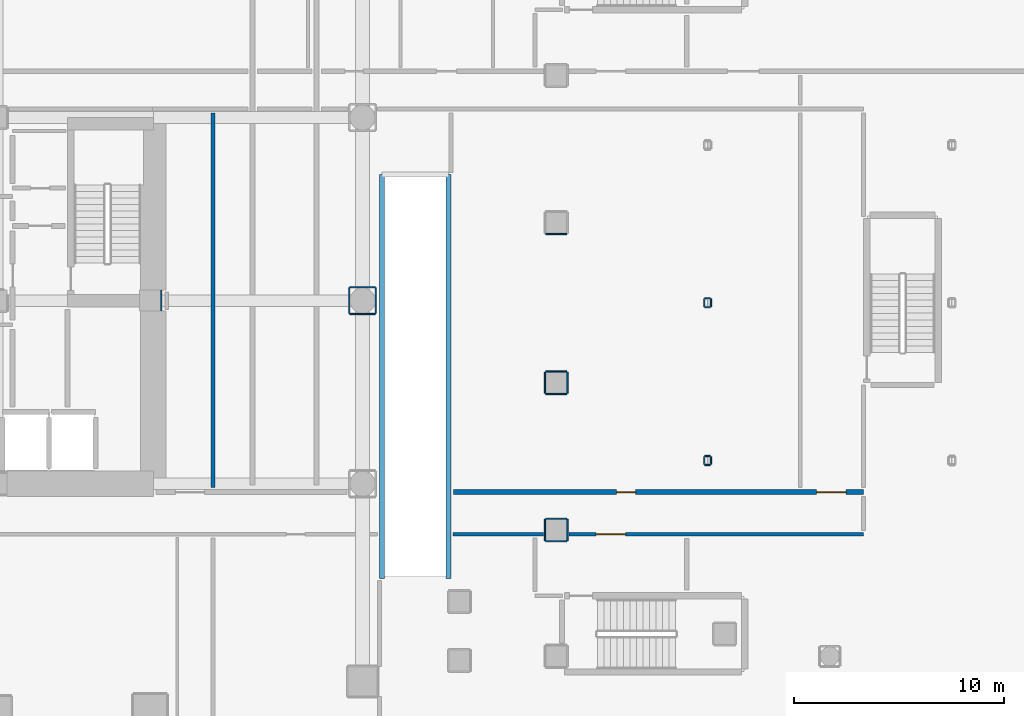
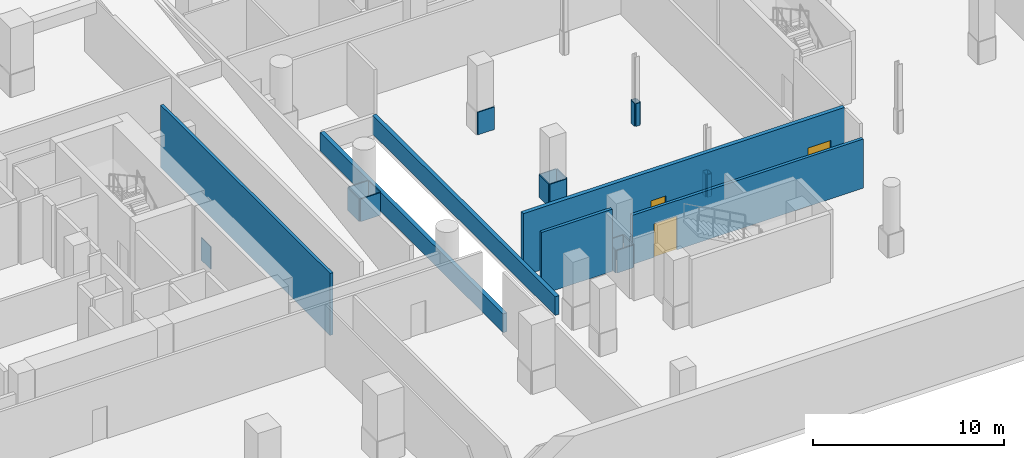
# One storey, part 10 of 22: 28 walls, 3 doors, 3 openings.
"""IFC4 building model written with IfcOpenShell, lengths in metres."""

from ifc_helpers import new_model, si_unit, direction, frame, frame_2d, origin, place, context, subcontext, project, spatial, rectangle, extrude, material, layer, layer_set, type_object, element, fill, save


model = new_model("IFC4")

# Units and contexts
model_context = context("Model", 3, precision=1e-05, world=origin(), true_north=direction((0.0, 1.0)))
body_context = subcontext(model_context, "Body", "Model", "MODEL_VIEW")
ifc_project = project(units=[si_unit("LENGTHUNIT", "METRE"), si_unit("AREAUNIT", "SQUARE_METRE"), si_unit("VOLUMEUNIT", "CUBIC_METRE"), si_unit("PLANEANGLEUNIT", "RADIAN"), si_unit("MASSUNIT", "GRAM", prefix="KILO")], contexts=[model_context])

# Site, building, storey
site_placement = place(None, origin())
site = spatial("IfcSite", under=ifc_project, at=site_placement, CompositionType="ELEMENT")
building_placement = place(site_placement, origin())
building = spatial("IfcBuilding", under=site, at=building_placement, Name="Solanera Arch Residences", CompositionType="ELEMENT")
storey_placement = place(building_placement, frame((0.0, 0.0, -4.39990234375)))
storey = spatial("IfcBuildingStorey", under=building, at=storey_placement, Name="B01", CompositionType="ELEMENT", Elevation=-4.39990234375)

# Walls
ifc_material_1 = material(Name="Fire-Rated Gypsum Stud Partition", Category="gypsum")
ifc_layer_1 = layer(ifc_material_1, 0.06005859375)
ifc_layer_set_1 = layer_set([ifc_layer_1], Name="Fire-Rated Gypsum Stud Partition")
wall_type_1 = type_object("IfcWallType", Name="Column Acoustic Furring Wall 60", PredefinedType="PARTITIONING", material=ifc_layer_set_1)
wall_1_placement = place(storey_placement, frame((37.031982421875, 30.2099609375, 0.0), z_axis=(0.0, 0.0, 1.0), x_axis=(0.0, 1.0, 0.0)))
element("IfcWall", 1, at=wall_1_placement, inside=storey, type_object=wall_type_1, Name="B01 Column Furring 6E", PredefinedType="PARTITIONING", context=body_context, shape_type="SweptSolid", body=[
    extrude(rectangle(XDim=0.97998046875, YDim=0.06005859375, at=frame_2d((0.489990234375, 0.0))), origin(), (0.0, 0.0, 1.0), 1.449951171875),
])
for number, where, z_axis, x_axis, name in (
    (2, (46.0, 30.068115234375, 0.0), (0.0, 0.0, 1.0), (1.0, 0.0, 0.0), "B01 Column Furring 19S"),
    (3, (46.0, 31.33203125, 0.0), (0.0, 0.0, 1.0), (1.0, 0.0, 0.0), "B01 Column Furring 19N"),
    (4, (45.968017578125, 30.10009765625, 0.0), (0.0, 0.0, 1.0), (0.0, 1.0, 0.0), "B01 Column Furring 19W"),
    (5, (47.23193359375, 30.10009765625, 0.0), (0.0, 0.0, 1.0), (0.0, 1.0, 0.0), "B01 Column Furring 19E"),
):
    element("IfcWall", number, at=place(storey_placement, frame(where, z_axis=z_axis, x_axis=x_axis)), inside=storey, type_object=wall_type_1, Name=name, PredefinedType="PARTITIONING", context=body_context, shape_type="SweptSolid", body=[
        extrude(rectangle(XDim=1.199951171875, YDim=0.06005859375, at=frame_2d((0.60009765625, 0.0))), origin(), (0.0, 0.0, 1.0), 1.449951171875),
    ])
for number, where, z_axis, x_axis, name in (
    (6, (62.87109375, 22.886962890625, 0.0), (0.0, 0.0, 1.0), (1.0, 0.0, 0.0), "B01 Column Furring 27S"),
    (7, (62.87109375, 23.31396484375, 0.0), (0.0, 0.0, 1.0), (1.0, 0.0, 0.0), "B01 Column Furring 27N"),
):
    element("IfcWall", number, at=place(storey_placement, frame(where, z_axis=z_axis, x_axis=x_axis)), inside=storey, type_object=wall_type_1, Name=name, PredefinedType="PARTITIONING", context=body_context, shape_type="SweptSolid", body=[
        extrude(rectangle(XDim=0.2578125, YDim=0.06005859375, at=frame_2d((0.12890625, 0.0))), origin(), (0.0, 0.0, 1.0), 1.449951171875),
    ])
for number, where, z_axis, x_axis, name in (
    (8, (62.840087890625, 22.9189453125, 0.0), (0.0, 0.0, 1.0), (0.0, 1.0, 0.0), "B01 Column Furring 27W"),
    (9, (63.159912109375, 22.9189453125, 0.0), (0.0, 0.0, 1.0), (0.0, 1.0, 0.0), "B01 Column Furring 27E"),
):
    element("IfcWall", number, at=place(storey_placement, frame(where, z_axis=z_axis, x_axis=x_axis)), inside=storey, type_object=wall_type_1, Name=name, PredefinedType="PARTITIONING", context=body_context, shape_type="SweptSolid", body=[
        extrude(rectangle(XDim=0.363037109375, YDim=0.06005859375, at=frame_2d((0.181640625, 0.0))), origin(), (0.0, 0.0, 1.0), 1.449951171875),
    ])
for number, where, z_axis, x_axis, name in (
    (10, (62.87109375, 30.386962890625, 0.0), (0.0, 0.0, 1.0), (1.0, 0.0, 0.0), "B01 Column Furring 29S"),
    (11, (62.87109375, 30.81396484375, 0.0), (0.0, 0.0, 1.0), (1.0, 0.0, 0.0), "B01 Column Furring 29N"),
):
    element("IfcWall", number, at=place(storey_placement, frame(where, z_axis=z_axis, x_axis=x_axis)), inside=storey, type_object=wall_type_1, Name=name, PredefinedType="PARTITIONING", context=body_context, shape_type="SweptSolid", body=[
        extrude(rectangle(XDim=0.2578125, YDim=0.06005859375, at=frame_2d((0.12890625, 0.0))), origin(), (0.0, 0.0, 1.0), 1.449951171875),
    ])
for number, where, z_axis, x_axis, name in (
    (12, (62.840087890625, 30.4189453125, 0.0), (0.0, 0.0, 1.0), (0.0, 1.0, 0.0), "B01 Column Furring 29W"),
    (13, (63.159912109375, 30.4189453125, 0.0), (0.0, 0.0, 1.0), (0.0, 1.0, 0.0), "B01 Column Furring 29E"),
):
    element("IfcWall", number, at=place(storey_placement, frame(where, z_axis=z_axis, x_axis=x_axis)), inside=storey, type_object=wall_type_1, Name=name, PredefinedType="PARTITIONING", context=body_context, shape_type="SweptSolid", body=[
        extrude(rectangle(XDim=0.363037109375, YDim=0.06005859375, at=frame_2d((0.181640625, 0.0))), origin(), (0.0, 0.0, 1.0), 1.449951171875),
    ])
for number, where, z_axis, x_axis, name in (
    (14, (55.300048828125, 19.26806640625, 0.0), (0.0, 0.0, 1.0), (1.0, 0.0, 0.0), "B01 Column Furring 44S"),
    (15, (55.300048828125, 20.33203125, 0.0), (0.0, 0.0, 1.0), (1.0, 0.0, 0.0), "B01 Column Furring 44N"),
    (16, (55.26806640625, 19.300048828125, 0.0), (0.0, 0.0, 1.0), (0.0, 1.0, 0.0), "B01 Column Furring 44W"),
    (17, (56.33203125, 19.300048828125, 0.0), (0.0, 0.0, 1.0), (0.0, 1.0, 0.0), "B01 Column Furring 44E"),
    (18, (55.300048828125, 26.26806640625, 0.0), (0.0, 0.0, 1.0), (1.0, 0.0, 0.0), "B01 Column Furring 45S"),
    (19, (55.300048828125, 27.33203125, 0.0), (0.0, 0.0, 1.0), (1.0, 0.0, 0.0), "B01 Column Furring 45N"),
    (20, (55.26806640625, 26.300048828125, 0.0), (0.0, 0.0, 1.0), (0.0, 1.0, 0.0), "B01 Column Furring 45W"),
    (21, (56.33203125, 26.300048828125, 0.0), (0.0, 0.0, 1.0), (0.0, 1.0, 0.0), "B01 Column Furring 45E"),
    (22, (55.300048828125, 33.867919921875, 0.0), (0.0, 0.0, 1.0), (1.0, 0.0, 0.0), "B01 Column Furring 46S"),
):
    element("IfcWall", number, at=place(storey_placement, frame(where, z_axis=z_axis, x_axis=x_axis)), inside=storey, type_object=wall_type_1, Name=name, PredefinedType="PARTITIONING", context=body_context, shape_type="SweptSolid", body=[
        extrude(rectangle(XDim=1.0, YDim=0.06005859375, at=frame_2d((0.5, 0.0))), origin(), (0.0, 0.0, 1.0), 1.449951171875),
    ])
ifc_material_2 = material(Name="Autoclaved Aerated Concrete Blockwork", Category="masonry")
ifc_layer_2 = layer(ifc_material_2, 0.179931640625)
ifc_layer_set_2 = layer_set([ifc_layer_2], Name="Autoclaved Aerated Concrete Blockwork")
wall_type_2 = type_object("IfcWallType", Name="Corridor Fire Partition 180", PredefinedType="PARTITIONING", material=ifc_layer_set_2)
wall_2_placement = place(storey_placement, frame((50.89794921875, 19.60009765625, 0.0), z_axis=(0.0, 0.0, 1.0), x_axis=(1.0, 0.0, 0.0)))
element("IfcWall", 23, at=wall_2_placement, inside=storey, type_object=wall_type_2, Name="B01 Interior Partition H12 1", PredefinedType="PARTITIONING", context=body_context, shape_type="SweptSolid", body=[
    extrude(rectangle(XDim=4.300048828125, YDim=0.179931640625, at=frame_2d((2.14990234375, 0.0))), origin(), (0.0, 0.0, 1.0), 3.97998046875),
])

# Wall, opening, door
wall_3_placement = place(storey_placement, frame((56.402099609375, 19.60009765625, 0.0), z_axis=(0.0, 0.0, 1.0), x_axis=(1.0, 0.0, 0.0)))
wall_3 = element("IfcWall", 24, at=wall_3_placement, inside=storey, type_object=wall_type_2, Name="B01 Interior Partition H12 2", PredefinedType="PARTITIONING", context=body_context, shape_type="SweptSolid", body=[
    extrude(rectangle(XDim=13.997802734375, YDim=0.179931640625, at=frame_2d((6.9990234375, 0.0))), origin(), (0.0, 0.0, 1.0), 3.15283203125),
])
opening_1_placement = place(wall_3_placement, frame((1.298095703125, 0.0, 0.0)))
opening_1 = element("IfcOpeningElement", 25, at=opening_1_placement, cuts=wall_3, Name="Opening DF-03", PredefinedType="OPENING", context=body_context, shape_type="SweptSolid", body=[
    extrude(rectangle(XDim=1.39990234375, YDim=2.14990234375, at=frame_2d((0.699951171875, 1.074951171875))), frame((0.0, 0.10009765625, 0.0), z_axis=(0.0, -1.0, 0.0), x_axis=(1.0, 0.0, 0.0)), (0.0, 0.0, 1.0), 0.1999),
])
ifc_material_3 = material(Name="Fire-Rated Architectural Hardwood", Category="wood")
door_type_1 = type_object("IfcDoorType", Name="Corridor Smoke Door DF-03", OperationType="NOTDEFINED", PredefinedType="DOOR", material=ifc_material_3)
door_1_placement = place(opening_1_placement, origin())
door_1 = element("IfcDoor", 26, at=door_1_placement, inside=storey, type_object=door_type_1, Name="DR-B01-IN-018", OperationType="SINGLE_SWING_LEFT", OverallHeight=2.14990234375, OverallWidth=1.39990234375, PredefinedType="DOOR", context=body_context, shape_type="SweptSolid", body=[
    extrude(rectangle(XDim=1.39990234375, YDim=2.14990234375, at=frame_2d((0.699951171875, 1.074951171875))), frame((0.0, 0.02490234375, 0.0), z_axis=(0.0, -1.0, 0.0), x_axis=(1.0, 0.0, 0.0)), (0.0, 0.0, 1.0), 0.050048828125),
])
fill(opening_1, door_1)

# Walls
wall_4_placement = place(storey_placement, frame((39.5, 21.818115234375, 0.0), z_axis=(0.0, 0.0, 1.0), x_axis=(0.0, 1.0, 0.0)))
element("IfcWall", 27, at=wall_4_placement, inside=storey, type_object=wall_type_2, Name="B01 Interior Partition V14", PredefinedType="PARTITIONING", context=body_context, shape_type="SweptSolid", body=[
    extrude(rectangle(XDim=17.7939453125, YDim=0.179931640625, at=frame_2d((8.89697265625, 0.0))), origin(), (0.0, 0.0, 1.0), 3.97998046875),
])
ifc_material_4 = material(Name="Precast Concrete C35/45", Category="concrete")
ifc_layer_3 = layer(ifc_material_4, 0.239990234375)
ifc_layer_set_3 = layer_set([ifc_layer_3], Name="Precast Concrete C35/45")
wall_type_3 = type_object("IfcWallType", Name="Parapet Wall Precast 240", PredefinedType="PARAPET", material=ifc_layer_set_3)
for number, where, z_axis, x_axis, name in (
    (28, (47.52001953125, 17.5, 0.0), (0.0, 0.0, 1.0), (0.0, 1.0, 0.0), "B01 Vehicle Ramp West Guard Wall"),
    (29, (50.679931640625, 17.5, 0.0), (0.0, 0.0, 1.0), (0.0, 1.0, 0.0), "B01 Vehicle Ramp East Guard Wall"),
):
    element("IfcWall", number, at=place(storey_placement, frame(where, z_axis=z_axis, x_axis=x_axis)), inside=storey, type_object=wall_type_3, Name=name, PredefinedType="PARAPET", context=body_context, shape_type="SweptSolid", body=[
        extrude(rectangle(XDim=19.199951171875, YDim=0.239990234375, at=frame_2d((9.60009765625, 0.0))), origin(), (0.0, 0.0, 1.0), 1.199951171875),
    ])

# Wall, openings, doors
ifc_material_5 = material(Name="Autoclaved Aerated Concrete Blockwork", Category="masonry")
ifc_layer_4 = layer(ifc_material_5, 0.239990234375)
ifc_layer_set_4 = layer_set([ifc_layer_4], Name="Autoclaved Aerated Concrete Blockwork")
wall_type_4 = type_object("IfcWallType", Name="Shaft Wall Fire-Rated 240", PredefinedType="PARTITIONING", material=ifc_layer_set_4)
wall_5_placement = place(storey_placement, frame((50.927978515625, 21.60009765625, 0.0), z_axis=(0.0, 0.0, 1.0), x_axis=(1.0, 0.0, 0.0)))
wall_5 = element("IfcWall", 30, at=wall_5_placement, inside=storey, type_object=wall_type_4, Name="B01 Interior Partition H2", PredefinedType="PARTITIONING", context=body_context, shape_type="SweptSolid", body=[
    extrude(rectangle(XDim=19.471923828125, YDim=0.239990234375, at=frame_2d((9.73583984375, 0.0))), origin(), (0.0, 0.0, 1.0), 3.97998046875),
])
opening_2_placement = place(wall_5_placement, frame((17.248046875, 0.0, 0.0)))
opening_2 = element("IfcOpeningElement", 31, at=opening_2_placement, cuts=wall_5, Name="Opening DF-03", PredefinedType="OPENING", context=body_context, shape_type="SweptSolid", body=[
    extrude(rectangle(XDim=1.39990234375, YDim=2.14990234375, at=frame_2d((0.699951171875, 1.074951171875))), frame((0.0, 0.1298828125, 0.0), z_axis=(0.0, -1.0, 0.0), x_axis=(1.0, 0.0, 0.0)), (0.0, 0.0, 1.0), 0.26),
])
opening_3_placement = place(wall_5_placement, frame((7.74609375, 0.0, 0.0)))
opening_3 = element("IfcOpeningElement", 32, at=opening_3_placement, cuts=wall_5, Name="Opening DI-02", PredefinedType="OPENING", context=body_context, shape_type="SweptSolid", body=[
    extrude(rectangle(XDim=0.89990234375, YDim=2.10009765625, at=frame_2d((0.449951171875, 1.050048828125))), frame((0.0, 0.1298828125, 0.0), z_axis=(0.0, -1.0, 0.0), x_axis=(1.0, 0.0, 0.0)), (0.0, 0.0, 1.0), 0.26),
])
door_2_placement = place(opening_2_placement, origin())
door_2 = element("IfcDoor", 33, at=door_2_placement, inside=storey, type_object=door_type_1, Name="DR-B01-IN-017", OperationType="SINGLE_SWING_RIGHT", OverallHeight=2.14990234375, OverallWidth=1.39990234375, PredefinedType="DOOR", context=body_context, shape_type="SweptSolid", body=[
    extrude(rectangle(XDim=1.39990234375, YDim=2.14990234375, at=frame_2d((0.699951171875, 1.074951171875))), frame((0.0, 0.02490234375, 0.0), z_axis=(0.0, -1.0, 0.0), x_axis=(1.0, 0.0, 0.0)), (0.0, 0.0, 1.0), 0.050048828125),
])
fill(opening_2, door_2)
ifc_material_6 = material(Name="Fire-Rated Architectural Hardwood", Category="wood")
door_type_2 = type_object("IfcDoorType", Name="Suite Room Swing Door DI-02", OperationType="NOTDEFINED", PredefinedType="DOOR", material=ifc_material_6)
door_3_placement = place(opening_3_placement, origin())
door_3 = element("IfcDoor", 34, at=door_3_placement, inside=storey, type_object=door_type_2, Name="DR-B01-IN-027", OperationType="SINGLE_SWING_RIGHT", OverallHeight=2.10009765625, OverallWidth=0.89990234375, PredefinedType="DOOR", context=body_context, shape_type="SweptSolid", body=[
    extrude(rectangle(XDim=0.89990234375, YDim=2.10009765625, at=frame_2d((0.449951171875, 1.050048828125))), frame((0.0, 0.02490234375, 0.0), z_axis=(0.0, -1.0, 0.0), x_axis=(1.0, 0.0, 0.0)), (0.0, 0.0, 1.0), 0.050048828125),
])
fill(opening_3, door_3)

save(model, "model.ifc")
